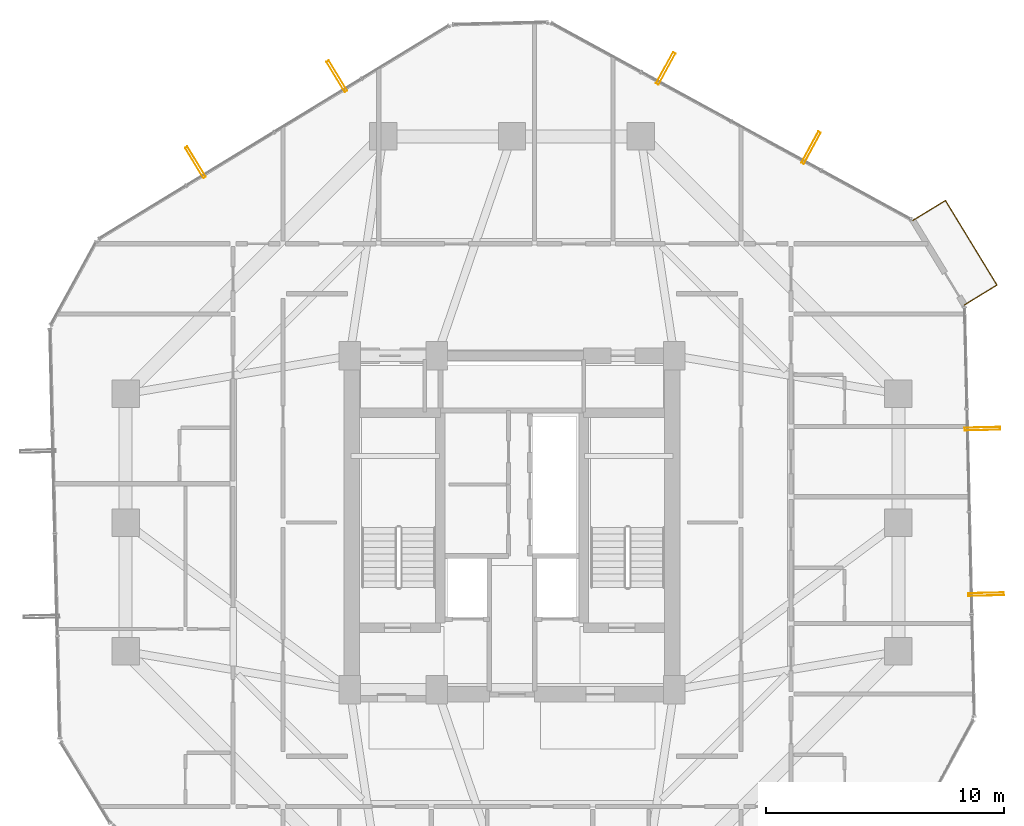
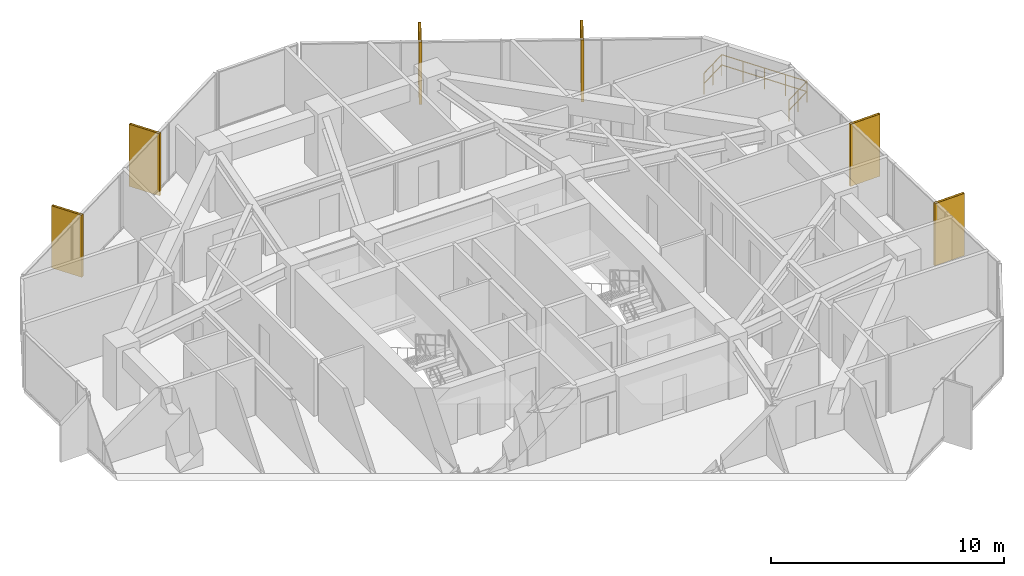
# One storey, part 31 of 31: 6 shading devices, 1 railing.
"""IFC4 building model written with IfcOpenShell, lengths in metres."""

from ifc_helpers import new_model, si_unit, direction, frame, origin, origin_2d, place, context, subcontext, project, spatial, hollow_rectangle, circle, extrude, material, material_profile, profile_set, type_object, element, save


model = new_model("IFC4")

# Units and contexts
model_context = context("Model", 3, precision=1e-05, world=origin(), true_north=direction((0.0, 1.0)))
body_context = subcontext(model_context, "Body", "Model", "MODEL_VIEW")
ifc_project = project(units=[si_unit("LENGTHUNIT", "METRE"), si_unit("AREAUNIT", "SQUARE_METRE"), si_unit("VOLUMEUNIT", "CUBIC_METRE"), si_unit("PLANEANGLEUNIT", "RADIAN"), si_unit("MASSUNIT", "GRAM", prefix="KILO")], contexts=[model_context])

# Site, building, storey
site_placement = place(None, origin())
site = spatial("IfcSite", under=ifc_project, at=site_placement, CompositionType="ELEMENT")
building_placement = place(site_placement, origin())
building = spatial("IfcBuilding", under=site, at=building_placement, Name="Veraguas Prism Commons", CompositionType="ELEMENT")
storey_placement = place(building_placement, frame((0.0, 0.0, 132.75)))
storey = spatial("IfcBuildingStorey", under=building, at=storey_placement, Name="L37", CompositionType="ELEMENT", Elevation=132.75)

# Shading devices
ifc_material_1 = material(Name="Anodised aluminium EN AW-6063 T6", Category="aluminium")
ifc_material_profile = material_profile(ifc_material_1, hollow_rectangle(XDim=0.1201171875, YDim=1.489990234375, WallThickness=0.006103515625, at=origin_2d()), Name="FIN120X1490X6")
ifc_profile_set = profile_set([ifc_material_profile], Name="Anodised aluminium EN AW-6063 T6")
shading_device_type = type_object("IfcShadingDeviceType", Name="Deep Pale-Metal Vertical Solar Fin 120x1490", PredefinedType="USERDEFINED", material=ifc_profile_set)
for number, where, z_axis, x_axis, name in (
    (1, (36.5400390625, 39.720458984375, -0.22998046875), (0.0, 0.0, 1.0), (-0.877647734989, 0.479306220769, 0.0), "Vertical Pale-Metal Solar Fin L37-F1A"),
    (2, (30.447509765625, 43.047607421875, -0.22998046875), (0.0, 0.0, 1.0), (-0.877647734989, 0.479306220769, 0.0), "Vertical Pale-Metal Solar Fin L37-F1B"),
    (3, (16.65576171875, 42.72021484375, -0.22998046875), (0.0, 0.0, 1.0), (-0.853916139162, -0.520410633326, 0.0), "Vertical Pale-Metal Solar Fin L37-F2A"),
    (4, (10.72802734375, 39.107666015625, -0.22998046875), (0.0, 0.0, 1.0), (-0.853916139162, -0.520410633326, 0.0), "Vertical Pale-Metal Solar Fin L37-F2B"),
    (5, (43.88427734375, 21.000244140625, -0.22998046875), (0.0, 0.0, 1.0), (-0.023734248954, 0.999718303037, 0.0), "Vertical Pale-Metal Solar Fin L37-F6A"),
    (6, (43.719482421875, 27.93994140625, -0.22998046875), (0.0, 0.0, 1.0), (-0.023734248954, 0.999718303037, 0.0), "Vertical Pale-Metal Solar Fin L37-F6B"),
):
    element("IfcShadingDevice", number, at=place(storey_placement, frame(where, z_axis=z_axis, x_axis=x_axis)), inside=storey, type_object=shading_device_type, Name=name, ObjectType="FIN", PredefinedType="USERDEFINED", context=body_context, shape_type="SweptSolid", body=[
        extrude(hollow_rectangle(XDim=0.1201171875, YDim=1.489990234375, WallThickness=0.006103515625, at=origin_2d()), origin(), (0.0, 0.0, 1.0), 3.25),
    ])

# Railing
ifc_material_2 = material(Name="Stainless steel AISI 316", Category="steel")
railing_type = type_object("IfcRailingType", Name="Loggia and Sky Pool Glazed Balustrade 1120", PredefinedType="BALUSTRADE", material=ifc_material_2)
railing_placement = place(storey_placement, frame((42.97119140625, 33.1298828125, 0.0)))
element("IfcRailing", 7, at=railing_placement, inside=storey, type_object=railing_type, Name="Recessed Corner Loggia L37-C1 Guard", PredefinedType="BALUSTRADE", context=body_context, shape_type="SweptSolid", body=[
    extrude(circle(Radius=0.02392578125, at=origin_2d()), frame((0.0, 0.0, 1.09619140625), z_axis=(0.853877223189, 0.520474483255, 0.0), x_axis=(-0.520474483255, 0.853877223189, 0.0)), (0.0, 0.0, 1.0), 1.60009765625),
    extrude(circle(Radius=0.02392578125, at=origin_2d()), frame((0.0, 0.0, 0.56005859375), z_axis=(0.853877223189, 0.520474483255, 0.0), x_axis=(-0.520474483255, 0.853877223189, 0.0)), (0.0, 0.0, 1.0), 1.60009765625),
    extrude(circle(Radius=0.02392578125, at=origin_2d()), frame((1.3662109375, 0.832763671875, 1.09619140625), z_axis=(-0.520422415613, 0.853908958454, 0.0), x_axis=(-0.853908958454, -0.520422415613, 0.0)), (0.0, 0.0, 1.0), 4.153076171875),
    extrude(circle(Radius=0.02392578125, at=origin_2d()), frame((1.3662109375, 0.832763671875, 0.56005859375), z_axis=(-0.520422415613, 0.853908958454, 0.0), x_axis=(-0.853908958454, -0.520422415613, 0.0)), (0.0, 0.0, 1.0), 4.153076171875),
    extrude(circle(Radius=0.02392578125, at=origin_2d()), frame((-0.795166015625, 4.379150390625, 1.09619140625), z_axis=(-0.853945034269, -0.520363217808, 0.0), x_axis=(0.520363217808, -0.853945034269, 0.0)), (0.0, 0.0, 1.0), 1.599853515625),
    extrude(circle(Radius=0.02392578125, at=origin_2d()), frame((-0.795166015625, 4.379150390625, 0.56005859375), z_axis=(-0.853945034269, -0.520363217808, 0.0), x_axis=(0.520363217808, -0.853945034269, 0.0)), (0.0, 0.0, 1.0), 1.599853515625),
    extrude(circle(Radius=0.02099609375, at=origin_2d()), origin(), (0.0, 0.0, 1.0), 1.072021484375),
    extrude(circle(Radius=0.02099609375, at=origin_2d()), frame((0.68310546875, 0.41650390625, 0.0)), (0.0, 0.0, 1.0), 1.072021484375),
    extrude(circle(Radius=0.02099609375, at=origin_2d()), frame((1.3662109375, 0.832763671875, 0.0)), (0.0, 0.0, 1.0), 1.072021484375),
    extrude(circle(Radius=0.02099609375, at=origin_2d()), frame((0.825927734375, 1.71923828125, 0.0)), (0.0, 0.0, 1.0), 1.072021484375),
    extrude(circle(Radius=0.02099609375, at=origin_2d()), frame((0.28564453125, 2.60595703125, 0.0)), (0.0, 0.0, 1.0), 1.072021484375),
    extrude(circle(Radius=0.02099609375, at=origin_2d()), frame((-0.2548828125, 3.49267578125, 0.0)), (0.0, 0.0, 1.0), 1.072021484375),
    extrude(circle(Radius=0.02099609375, at=origin_2d()), frame((-0.795166015625, 4.379150390625, 0.0)), (0.0, 0.0, 1.0), 1.072021484375),
    extrude(circle(Radius=0.02099609375, at=origin_2d()), frame((-1.478271484375, 3.962890625, 0.0)), (0.0, 0.0, 1.0), 1.072021484375),
    extrude(circle(Radius=0.02099609375, at=origin_2d()), frame((-2.161376953125, 3.546630859375, 0.0)), (0.0, 0.0, 1.0), 1.072021484375),
])

save(model, "model.ifc")
